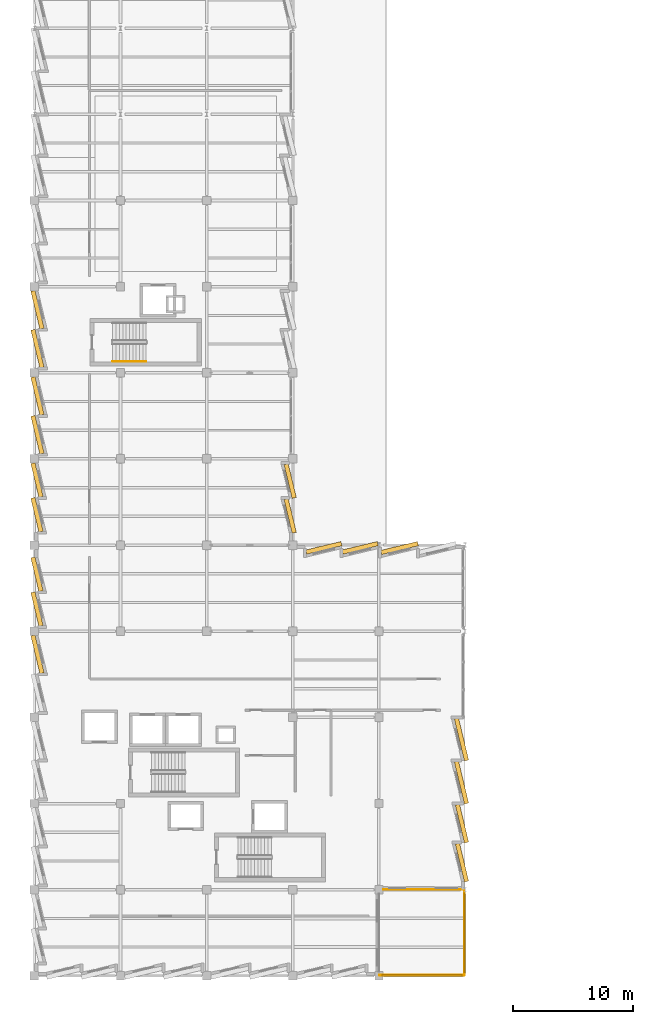
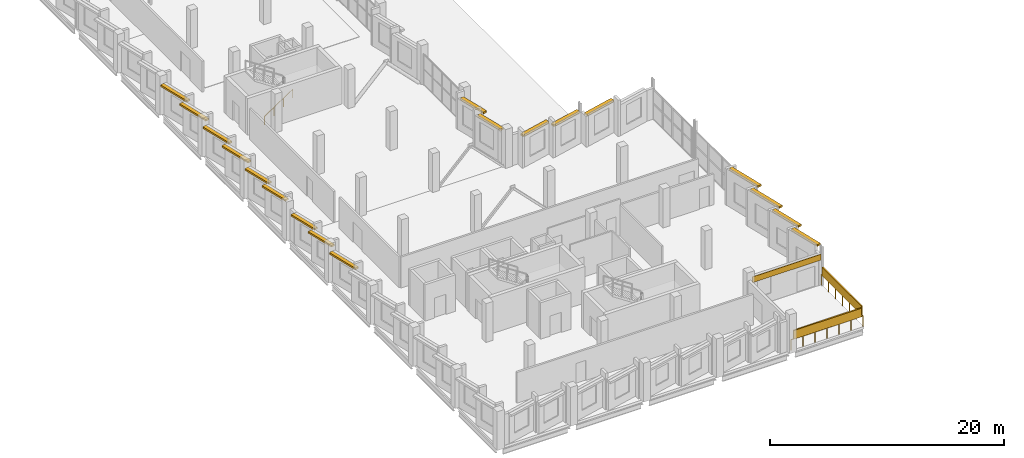
# One storey, part 36 of 38: 20 shading devices, 3 railings, 1 covering.
"""IFC4 building model written with IfcOpenShell, lengths in metres."""

from ifc_helpers import new_model, si_unit, direction, frame, origin, origin_2d, place, context, subcontext, project, spatial, rectangle, circle, extrude, material, layer, layer_set, type_object, element, save


model = new_model("IFC4")

# Units and contexts
model_context = context("Model", 3, precision=1e-05, world=origin(), true_north=direction((0.0, 1.0)))
body_context = subcontext(model_context, "Body", "Model", "MODEL_VIEW")
ifc_project = project(units=[si_unit("LENGTHUNIT", "METRE"), si_unit("AREAUNIT", "SQUARE_METRE"), si_unit("VOLUMEUNIT", "CUBIC_METRE"), si_unit("PLANEANGLEUNIT", "RADIAN"), si_unit("MASSUNIT", "GRAM", prefix="KILO")], contexts=[model_context])

# Site, building, storey
site_placement = place(None, origin())
site = spatial("IfcSite", under=ifc_project, at=site_placement, CompositionType="ELEMENT")
building_placement = place(site_placement, origin())
building = spatial("IfcBuilding", under=site, at=building_placement, Name="Kalmorath City Hall", CompositionType="ELEMENT")
storey_placement = place(building_placement, frame((0.0, 0.0, 18.89990234375)))
storey = spatial("IfcBuildingStorey", under=building, at=storey_placement, Name="L04", CompositionType="ELEMENT", Elevation=18.89990234375)

# Covering
ifc_material_1 = material(Name="Hardwood timber cladding", Category="wood")
ifc_layer_1 = layer(ifc_material_1, 0.044921875)
ifc_layer_set_1 = layer_set([ifc_layer_1], Name="Hardwood timber cladding")
covering_type = type_object("IfcCoveringType", Name="Hardwood recessed loggia wall cladding", PredefinedType="CLADDING", material=ifc_layer_set_1)
covering_placement = place(storey_placement, frame((32.52392578125, 7.205078125, 2.595947265625), z_axis=(0.0, 0.0, 1.0), x_axis=(-1.0, 0.0, 0.0)))
element("IfcCovering", 1, at=covering_placement, inside=storey, type_object=covering_type, Name="L04 timber loggia lining #81", PredefinedType="CLADDING", context=body_context, shape_type="SweptSolid", body=[
    extrude(rectangle(XDim=6.74609375, YDim=0.044921875, at=origin_2d()), origin(), (0.0, 0.0, 1.0), 0.60009765625),
])

# Shading devices
ifc_material_2 = material(Name="Bronze anodised storm louvre")
ifc_layer_2 = layer(ifc_material_2, 0.139892578125)
ifc_layer_set_2 = layer_set([ifc_layer_2], Name="Bronze anodised storm louvre")
shading_device_type_1 = type_object("IfcShadingDeviceType", Name="Hurricane bronze storm louvre bank", PredefinedType="JALOUSIE", material=ifc_layer_set_2)
for number, where, z_axis, x_axis, name in (
    (2, (32.39990234375, 0.050048828125, 1.10009765625), (0.0, 0.0, 1.0), (1.0, 0.0, 0.0), "L04 corner loggia storm louvre #545"),
    (3, (35.949951171875, 3.60009765625, 1.10009765625), (0.0, 0.0, 1.0), (0.0, 1.0, 0.0), "L04 corner loggia storm louvre #546"),
):
    element("IfcShadingDevice", number, at=place(storey_placement, frame(where, z_axis=z_axis, x_axis=x_axis)), inside=storey, type_object=shading_device_type_1, Name=name, PredefinedType="JALOUSIE", context=body_context, shape_type="SweptSolid", body=[
        extrude(rectangle(XDim=6.699951171875, YDim=0.139892578125, at=origin_2d()), origin(), (0.0, 0.0, 1.0), 0.89990234375),
    ])

# Railings
ifc_material_3 = material(Name="Stainless steel and laminated glass", Category="steel")
railing_type_1 = type_object("IfcRailingType", Name="Outdoor terrace balustrade 1120", PredefinedType="BALUSTRADE", material=ifc_material_3)
railing_1_placement = place(storey_placement, frame((28.85009765625, 0.050048828125, 0.0)))
element("IfcRailing", 4, at=railing_1_placement, inside=storey, type_object=railing_type_1, Name="L04 Southeast Corner Loggia balustrade #8", PredefinedType="BALUSTRADE", context=body_context, shape_type="SweptSolid", body=[
    extrude(circle(Radius=0.02392578125, at=origin_2d()), frame((0.0, 0.0, 1.09619140625), z_axis=(1.0, 0.0, 0.0), x_axis=(0.0, 1.0, 0.0)), (0.0, 0.0, 1.0), 7.099853515625),
    extrude(circle(Radius=0.02099609375, at=origin_2d()), origin(), (0.0, 0.0, 1.0), 1.072021484375),
    extrude(circle(Radius=0.02099609375, at=origin_2d()), frame((1.183349609375, 0.0, 0.0)), (0.0, 0.0, 1.0), 1.072021484375),
    extrude(circle(Radius=0.02099609375, at=origin_2d()), frame((2.36669921875, 0.0, 0.0)), (0.0, 0.0, 1.0), 1.072021484375),
    extrude(circle(Radius=0.02099609375, at=origin_2d()), frame((3.5498046875, 0.0, 0.0)), (0.0, 0.0, 1.0), 1.072021484375),
    extrude(circle(Radius=0.02099609375, at=origin_2d()), frame((4.733154296875, 0.0, 0.0)), (0.0, 0.0, 1.0), 1.072021484375),
    extrude(circle(Radius=0.02099609375, at=origin_2d()), frame((5.91650390625, 0.0, 0.0)), (0.0, 0.0, 1.0), 1.072021484375),
    extrude(circle(Radius=0.02099609375, at=origin_2d()), frame((7.099853515625, 0.0, 0.0)), (0.0, 0.0, 1.0), 1.072021484375),
])
railing_2_placement = place(storey_placement, frame((35.949951171875, 0.050048828125, 0.0)))
element("IfcRailing", 5, at=railing_2_placement, inside=storey, type_object=railing_type_1, Name="L04 Southeast Corner Loggia balustrade #9", PredefinedType="BALUSTRADE", context=body_context, shape_type="SweptSolid", body=[
    extrude(circle(Radius=0.02392578125, at=origin_2d()), frame((0.0, 0.0, 1.09619140625), z_axis=(0.0, 1.0, 0.0), x_axis=(-1.0, 0.0, 0.0)), (0.0, 0.0, 1.0), 7.099853515625),
    extrude(circle(Radius=0.02099609375, at=origin_2d()), origin(), (0.0, 0.0, 1.0), 1.072021484375),
    extrude(circle(Radius=0.02099609375, at=origin_2d()), frame((0.0, 1.183349609375, 0.0)), (0.0, 0.0, 1.0), 1.072021484375),
    extrude(circle(Radius=0.02099609375, at=origin_2d()), frame((0.0, 2.36669921875, 0.0)), (0.0, 0.0, 1.0), 1.072021484375),
    extrude(circle(Radius=0.02099609375, at=origin_2d()), frame((0.0, 3.5498046875, 0.0)), (0.0, 0.0, 1.0), 1.072021484375),
    extrude(circle(Radius=0.02099609375, at=origin_2d()), frame((0.0, 4.733154296875, 0.0)), (0.0, 0.0, 1.0), 1.072021484375),
    extrude(circle(Radius=0.02099609375, at=origin_2d()), frame((0.0, 5.91650390625, 0.0)), (0.0, 0.0, 1.0), 1.072021484375),
    extrude(circle(Radius=0.02099609375, at=origin_2d()), frame((0.0, 7.099853515625, 0.0)), (0.0, 0.0, 1.0), 1.072021484375),
])

# Shading devices
ifc_material_4 = material(Name="Precast concrete C40/50", Category="concrete")
ifc_layer_3 = layer(ifc_material_4, 0.179931640625)
ifc_layer_set_3 = layer_set([ifc_layer_3], Name="Precast concrete C40/50")
shading_device_type_2 = type_object("IfcShadingDeviceType", Name="Precast sawtooth brow sunshade 350", PredefinedType="USERDEFINED", material=ifc_layer_set_3)
for number, where, z_axis, x_axis, name in (
    (6, (35.698974609375, 19.75390625, 3.59033203125), (0.0, 0.0, 1.0), (0.233445363856, -0.972369920398, 0.0), "L04 precast sawtooth hood #368"),
    (7, (35.698974609375, 16.15380859375, 3.59033203125), (0.0, 0.0, 1.0), (0.233445363856, -0.972369920398, 0.0), "L04 precast sawtooth hood #369"),
):
    element("IfcShadingDevice", number, at=place(storey_placement, frame(where, z_axis=z_axis, x_axis=x_axis)), inside=storey, type_object=shading_device_type_2, Name=name, ObjectType="SUNSHADE", PredefinedType="USERDEFINED", context=body_context, shape_type="SweptSolid", body=[
        extrude(rectangle(XDim=3.607421875, YDim=0.360107421875, at=origin_2d()), origin(), (0.0, 0.0, 1.0), 0.179931640625),
    ])
for number, where, z_axis, x_axis, name in (
    (8, (35.73974609375, 12.723876953125, 3.59033203125), (0.0, 0.0, 1.0), (0.233462334877, -0.972365845859, 0.0), "L04 precast sawtooth hood #370"),
    (9, (35.73974609375, 9.4638671875, 3.59033203125), (0.0, 0.0, 1.0), (0.233462334877, -0.972365845859, 0.0), "L04 precast sawtooth hood #371"),
):
    element("IfcShadingDevice", number, at=place(storey_placement, frame(where, z_axis=z_axis, x_axis=x_axis)), inside=storey, type_object=shading_device_type_2, Name=name, ObjectType="SUNSHADE", PredefinedType="USERDEFINED", context=body_context, shape_type="SweptSolid", body=[
        extrude(rectangle(XDim=3.257568359375, YDim=0.360107421875, at=origin_2d()), origin(), (0.0, 0.0, 1.0), 0.179931640625),
    ])
shading_device_1_placement = place(storey_placement, frame((0.2587890625, 26.87060546875, 3.00634765625), z_axis=(0.0, 0.0, 1.0), x_axis=(-0.233445363856, 0.972369920398, 0.0)))
element("IfcShadingDevice", 10, at=shading_device_1_placement, inside=storey, type_object=shading_device_type_2, Name="L04 precast sawtooth hood #387", ObjectType="SUNSHADE", PredefinedType="USERDEFINED", context=body_context, shape_type="SweptSolid", body=[
    extrude(rectangle(XDim=3.246337890625, YDim=0.360107421875, at=origin_2d()), origin(), (0.0, 0.0, 1.0), 0.179931640625),
])
for number, where, z_axis, x_axis, name in (
    (11, (0.218017578125, 30.651611328125, 3.00634765625), (0.0, 0.0, 1.0), (-0.233445363856, 0.972369920398, 0.0), "L04 precast sawtooth hood #388"),
    (12, (0.218017578125, 33.560791015625, 3.00634765625), (0.0, 0.0, 1.0), (-0.233445363856, 0.972369920398, 0.0), "L04 precast sawtooth hood #389"),
    (13, (0.218017578125, 38.53173828125, 3.00634765625), (0.0, 0.0, 1.0), (-0.233445363856, 0.972369920398, 0.0), "L04 precast sawtooth hood #390"),
    (14, (0.218017578125, 41.440673828125, 3.00634765625), (0.0, 0.0, 1.0), (-0.233445363856, 0.972369920398, 0.0), "L04 precast sawtooth hood #391"),
):
    element("IfcShadingDevice", number, at=place(storey_placement, frame(where, z_axis=z_axis, x_axis=x_axis)), inside=storey, type_object=shading_device_type_2, Name=name, ObjectType="SUNSHADE", PredefinedType="USERDEFINED", context=body_context, shape_type="SweptSolid", body=[
        extrude(rectangle(XDim=2.896728515625, YDim=0.360107421875, at=origin_2d()), origin(), (0.0, 0.0, 1.0), 0.179931640625),
    ])
for number, where, z_axis, x_axis, name in (
    (15, (0.2587890625, 45.2216796875, 3.00634765625), (0.0, 0.0, 1.0), (-0.233445363856, 0.972369920398, 0.0), "L04 precast sawtooth hood #392"),
    (16, (0.2587890625, 48.470703125, 3.00634765625), (0.0, 0.0, 1.0), (-0.233445363856, 0.972369920398, 0.0), "L04 precast sawtooth hood #393"),
    (17, (0.2587890625, 52.421630859375, 3.00634765625), (0.0, 0.0, 1.0), (-0.233445363856, 0.972369920398, 0.0), "L04 precast sawtooth hood #394"),
    (18, (0.2587890625, 55.670654296875, 3.00634765625), (0.0, 0.0, 1.0), (-0.233445363856, 0.972369920398, 0.0), "L04 precast sawtooth hood #395"),
):
    element("IfcShadingDevice", number, at=place(storey_placement, frame(where, z_axis=z_axis, x_axis=x_axis)), inside=storey, type_object=shading_device_type_2, Name=name, ObjectType="SUNSHADE", PredefinedType="USERDEFINED", context=body_context, shape_type="SweptSolid", body=[
        extrude(rectangle(XDim=3.246337890625, YDim=0.360107421875, at=origin_2d()), origin(), (0.0, 0.0, 1.0), 0.179931640625),
    ])
for number, where, z_axis, x_axis, name in (
    (19, (21.3818359375, 41.348388671875, 3.00634765625), (0.0, 0.0, 1.0), (0.233445363856, -0.972369920398, 0.0), "L04 precast sawtooth hood #420"),
    (20, (21.3818359375, 38.439208984375, 3.00634765625), (0.0, 0.0, 1.0), (0.233445363856, -0.972369920398, 0.0), "L04 precast sawtooth hood #421"),
):
    element("IfcShadingDevice", number, at=place(storey_placement, frame(where, z_axis=z_axis, x_axis=x_axis)), inside=storey, type_object=shading_device_type_2, Name=name, ObjectType="SUNSHADE", PredefinedType="USERDEFINED", context=body_context, shape_type="SweptSolid", body=[
        extrude(rectangle(XDim=2.896728515625, YDim=0.360107421875, at=origin_2d()), origin(), (0.0, 0.0, 1.0), 0.179931640625),
    ])
for number, where, z_axis, x_axis, name in (
    (21, (24.193603515625, 35.76708984375, 3.00634765625), (0.0, 0.0, 1.0), (0.972365845859, 0.233462334877, 0.0), "L04 precast sawtooth hood #422"),
    (22, (27.226806640625, 35.76708984375, 3.00634765625), (0.0, 0.0, 1.0), (0.972365845859, 0.233462334877, 0.0), "L04 precast sawtooth hood #423"),
):
    element("IfcShadingDevice", number, at=place(storey_placement, frame(where, z_axis=z_axis, x_axis=x_axis)), inside=storey, type_object=shading_device_type_2, Name=name, ObjectType="SUNSHADE", PredefinedType="USERDEFINED", context=body_context, shape_type="SweptSolid", body=[
        extrude(rectangle(XDim=3.024169921875, YDim=0.360107421875, at=origin_2d()), origin(), (0.0, 0.0, 1.0), 0.179931640625),
    ])
shading_device_2_placement = place(storey_placement, frame((30.527587890625, 35.752197265625, 2.99609375), z_axis=(0.0, 0.0, 1.0), x_axis=(0.972369920398, 0.233445363856, 0.0)))
element("IfcShadingDevice", 23, at=shading_device_2_placement, inside=storey, type_object=shading_device_type_2, Name="L04 precast sawtooth hood #424", ObjectType="SUNSHADE", PredefinedType="USERDEFINED", context=body_context, shape_type="SweptSolid", body=[
    extrude(rectangle(XDim=3.151611328125, YDim=0.360107421875, at=origin_2d()), origin(), (0.0, 0.0, 1.0), 0.179931640625),
])

# Railing
ifc_material_5 = material(Name="Brushed stainless steel handrail", Category="steel")
railing_type_2 = type_object("IfcRailingType", Name="Stair pitch handrail 900", PredefinedType="HANDRAIL", material=ifc_material_5)
railing_3_placement = place(storey_placement, frame((6.550048828125, 51.35009765625, 0.18408203125)))
element("IfcRailing", 24, at=railing_3_placement, inside=storey, type_object=railing_type_2, Name="L04 ST-3 stair handrail 1", PredefinedType="HANDRAIL", context=body_context, shape_type="SweptSolid", body=[
    extrude(circle(Radius=0.02392578125, at=origin_2d()), frame((0.0, 0.0, 0.8759765625), z_axis=(0.83556406348, 0.0, 0.549393024911), x_axis=(0.0, 1.0, 0.0)), (0.0, 0.0, 1.0), 3.35107421875),
    extrude(circle(Radius=0.02099609375, at=origin_2d()), origin(), (0.0, 0.0, 1.0), 0.851806640625),
    extrude(circle(Radius=0.02099609375, at=origin_2d()), frame((0.933349609375, 0.0, 0.61376953125)), (0.0, 0.0, 1.0), 0.851806640625),
    extrude(circle(Radius=0.02099609375, at=origin_2d()), frame((1.86669921875, 0.0, 1.227294921875)), (0.0, 0.0, 1.0), 0.851806640625),
    extrude(circle(Radius=0.02099609375, at=origin_2d()), frame((2.800048828125, 0.0, 1.841064453125)), (0.0, 0.0, 1.0), 0.851806640625),
])

save(model, "model.ifc")
